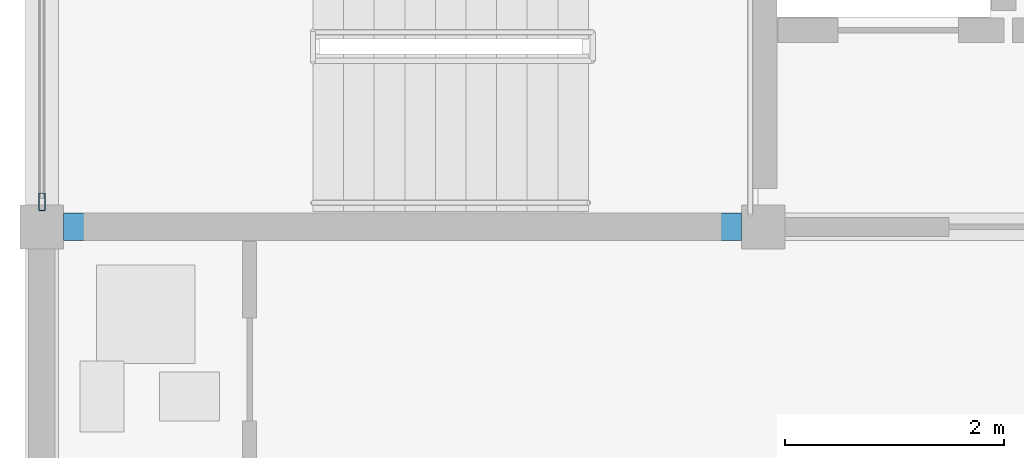
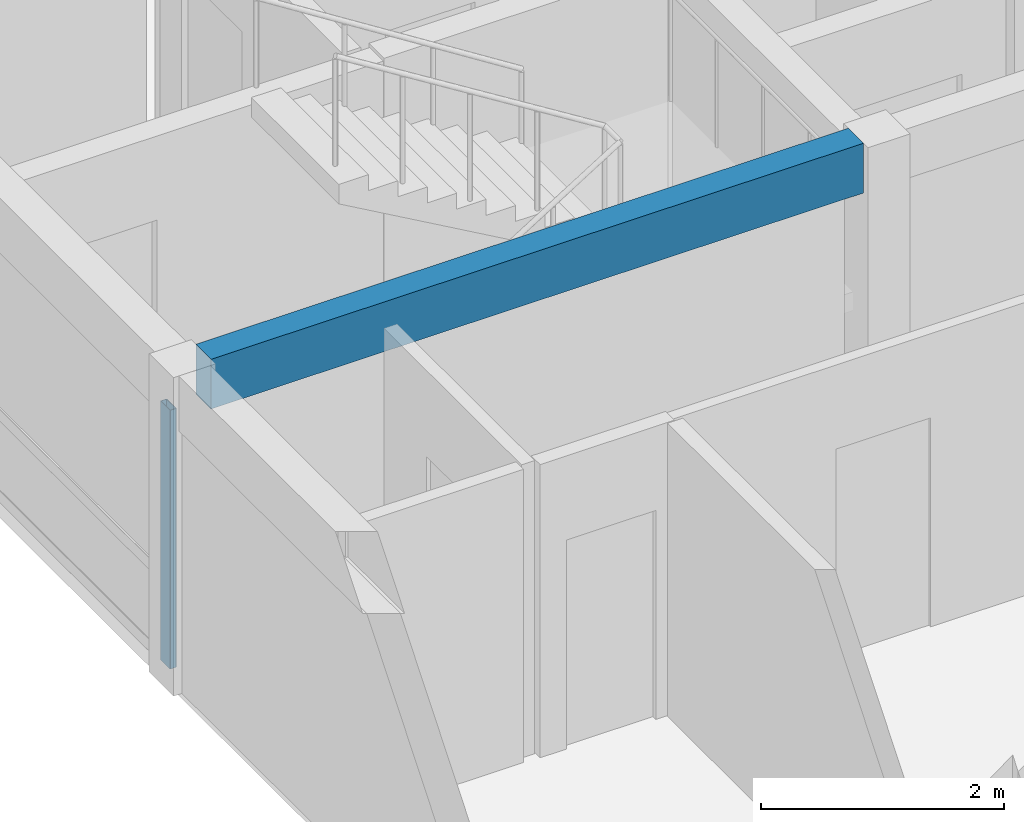
# One storey, part 2 of 12: 1 beam, 1 member, 1 element without a shape of its own.
"""IFC4 building model written with IfcOpenShell, lengths in metres."""

import ifcopenshell
import ifcopenshell.guid

model = None  # the IFC model being written
_history = None  # IfcOwnerHistory: only IFC2X3 demands one
_inside = {}  # id of a spatial element -> (the spatial element, [elements in it])
_under = {}  # id of a project, library or spatial element -> (it, [spatial elements below it])
_declared = {}  # id of a project -> (the project, [libraries it declares])
_typed = {}  # id of a type object -> (the type object, [elements of that type])
_made_of = {}  # id of a material, layer set ... -> (it, [elements and type objects made of it])


def new_model(schema):
    """Start an empty IFC model of exactly this schema.

    Asked for "IFC4X3", IfcOpenShell would pick the latest addendum, in which some entities
    have other attributes; the version numbers below select the first issue.
    IFC2X3 requires an IfcOwnerHistory on every rooted entity: one is made here for all.
    """
    global model, _history
    if schema == "IFC4X3":
        model = ifcopenshell.file(schema_version=(4, 3, 0, 0))
    else:
        model = ifcopenshell.file(schema=schema)
    _inside.clear()
    _under.clear()
    _declared.clear()
    _typed.clear()
    _made_of.clear()
    _history = None
    if model.schema == "IFC2X3":
        org = make("IfcOrganization", Name="unknown")
        user = make(
            "IfcPersonAndOrganization",
            ThePerson=make("IfcPerson", FamilyName="unknown"),
            TheOrganization=org,
        )
        app = make(
            "IfcApplication",
            ApplicationDeveloper=org,
            Version="unknown",
            ApplicationFullName="unknown",
            ApplicationIdentifier="unknown",
        )
        _history = make(
            "IfcOwnerHistory",
            OwningUser=user,
            OwningApplication=app,
            ChangeAction="ADDED",
            CreationDate=0,
        )
    return model


def make(cls, **values):
    """One entity of the class cls with the attributes given. An attribute that is None is left unset."""
    return model.create_entity(
        cls, **{name: value for name, value in values.items() if value is not None}
    )


def rooted(cls, **values):
    """An entity with a GlobalId (a new one), such as an element, a storey or a relation."""
    return make(cls, GlobalId=ifcopenshell.guid.new(), OwnerHistory=_history, **values)


def si_unit(unit_type, name, prefix=None):
    """IfcSIUnit, for example si_unit("LENGTHUNIT", "METRE", prefix="MILLI")."""
    return make("IfcSIUnit", UnitType=unit_type, Prefix=prefix, Name=name)


def assignment(units):
    """IfcUnitAssignment: the units of a project."""
    return None if units is None else make("IfcUnitAssignment", Units=units)


def point(xyz):
    """IfcCartesianPoint."""
    return None if xyz is None else make("IfcCartesianPoint", Coordinates=xyz)


def direction(xyz):
    """IfcDirection."""
    return None if xyz is None else make("IfcDirection", DirectionRatios=xyz)


def frame(location, z_axis=None, x_axis=None):
    """IfcAxis2Placement3D, a coordinate frame: its origin and axes. An axis left out is left unset."""
    return make(
        "IfcAxis2Placement3D",
        Location=point(location),
        Axis=direction(z_axis),
        RefDirection=direction(x_axis),
    )


def frame_2d(location, x_axis=None):
    """IfcAxis2Placement2D, a coordinate frame in the plane: its origin and x axis."""
    return make(
        "IfcAxis2Placement2D", Location=point(location), RefDirection=direction(x_axis)
    )


def origin():
    """The frame at (0, 0, 0) with its axes left unset."""
    return frame((0.0, 0.0, 0.0))


def origin_2d():
    """The frame at (0, 0) in the plane with its x axis left unset."""
    return frame_2d((0.0, 0.0))


def place(relative_to, where):
    """IfcLocalPlacement: puts the frame where relative to a parent placement (None: the world)."""
    return make(
        "IfcLocalPlacement", PlacementRelTo=relative_to, RelativePlacement=where
    )


def context(
    kind, dimensions, precision=None, world=None, true_north=None, identifier=None
):
    """IfcGeometricRepresentationContext, for example the 3D "Model" context."""
    return make(
        "IfcGeometricRepresentationContext",
        ContextIdentifier=identifier,
        ContextType=kind,
        CoordinateSpaceDimension=dimensions,
        Precision=precision,
        WorldCoordinateSystem=world,
        TrueNorth=true_north,
    )


def subcontext(parent, identifier, kind, view, scale=None):
    """IfcGeometricRepresentationSubContext, for example "Body" below "Model"."""
    return make(
        "IfcGeometricRepresentationSubContext",
        ContextIdentifier=identifier,
        ContextType=kind,
        ParentContext=parent,
        TargetScale=scale,
        TargetView=view,
    )


def project(units=None, contexts=None):
    """IfcProject with its units and contexts."""
    return rooted(
        "IfcProject",
        Name="project",
        RepresentationContexts=contexts,
        UnitsInContext=assignment(units),
    )


def spatial(cls, under=None, at=None, **own):
    """A site, building, storey or space (cls), placed at a placement, below another one or the project."""
    s = rooted(cls, ObjectPlacement=at, **own)
    if under is not None:
        _under.setdefault(under.id(), (under, []))[1].append(s)
    return s


def profile(cls, at=None, kind="AREA", **sizes):
    """A parametric profile (cls). Its sizes go by their IFC names, for example OverallWidth=200.0."""
    return make(cls, ProfileType=kind, Position=at, **sizes)


def rectangle(**sizes):
    """IfcRectangleProfileDef."""
    return profile("IfcRectangleProfileDef", **sizes)


def hollow_rectangle(**sizes):
    """IfcRectangleHollowProfileDef."""
    return profile("IfcRectangleHollowProfileDef", **sizes)


def extrude(swept, where, along, depth):
    """IfcExtrudedAreaSolid: the profile swept, set in the frame where, extruded along a direction by depth."""
    return make(
        "IfcExtrudedAreaSolid",
        SweptArea=swept,
        Position=where,
        ExtrudedDirection=direction(along),
        Depth=depth,
    )


def shape(context_of_items, identifier, shape_type, items):
    """IfcShapeRepresentation: the items that make up one representation, for example the "Body"."""
    return make(
        "IfcShapeRepresentation",
        ContextOfItems=context_of_items,
        RepresentationIdentifier=identifier,
        RepresentationType=shape_type,
        Items=items,
    )


def material(Name=None, Category=None):
    """IfcMaterial."""
    return make("IfcMaterial", Name=Name, Category=Category)


def material_profile(
    of_material, cross_section, Name=None, Category=None, Priority=None
):
    """IfcMaterialProfile: a cross section and its material."""
    return make(
        "IfcMaterialProfile",
        Name=Name,
        Material=of_material,
        Profile=cross_section,
        Priority=Priority,
        Category=Category,
    )


def profile_set(profiles, Name=None, composite=None):
    """IfcMaterialProfileSet."""
    return make(
        "IfcMaterialProfileSet",
        Name=Name,
        MaterialProfiles=profiles,
        CompositeProfile=composite,
    )


def made_of(thing, what):
    """Note that an element or type object is made of a material, layer set ...; save() writes the relation."""
    if what is not None:
        _made_of.setdefault(what.id(), (what, []))[1].append(thing)
    return thing


def type_object(cls, material=None, **own):
    """A type object (cls), such as IfcWallType, which elements share."""
    return made_of(rooted(cls, **own), material)


def element(
    cls,
    number,
    at=None,
    inside=None,
    cuts=None,
    type_object=None,
    material=None,
    context=None,
    identifier="Body",
    shape_type=None,
    held_by="IfcProductDefinitionShape",
    body=None,
    shapes=None,
    **own,
):
    """One element of the class cls, such as IfcWall. Its Tag is "e" and its number.

    at: its placement. inside: the storey or other place that contains it. cuts: it is an
    opening in that element (IfcRelVoidsElement). A single representation is given by context,
    identifier, shape_type and body (its items); several are given by shapes. held_by: the class
    of the entity that holds the representations. save() writes the other relations.
    """
    e = rooted(cls, Tag="e%d" % number, ObjectPlacement=at, **own)
    if body is not None:
        shapes = [shape(context, identifier, shape_type, body)]
    if shapes is not None:
        e.Representation = make(held_by, Representations=shapes)
    if inside is not None:
        _inside.setdefault(inside.id(), (inside, []))[1].append(e)
    if cuts is not None:
        rooted(
            "IfcRelVoidsElement", RelatingBuildingElement=cuts, RelatedOpeningElement=e
        )
    if type_object is not None:
        _typed.setdefault(type_object.id(), (type_object, []))[1].append(e)
    return made_of(e, material)


def aggregate(whole, parts):
    """IfcRelAggregates: a whole, such as a stair, and the parts it consists of."""
    return rooted("IfcRelAggregates", RelatingObject=whole, RelatedObjects=parts)


def save(model, path):
    """Write the relations noted so far, then the file.

    IfcRelAggregates (storeys below a building ...), IfcRelContainedInSpatialStructure (elements
    in a storey), IfcRelDefinesByType, IfcRelAssociatesMaterial and IfcRelDeclares: one each for
    every whole, place, type object, material and project.
    """
    for whole, parts in _under.values():
        aggregate(whole, parts)
    for where, things in _inside.values():
        rooted(
            "IfcRelContainedInSpatialStructure",
            RelatedElements=things,
            RelatingStructure=where,
        )
    for kind, things in _typed.values():
        rooted("IfcRelDefinesByType", RelatedObjects=things, RelatingType=kind)
    for what, things in _made_of.values():
        rooted("IfcRelAssociatesMaterial", RelatedObjects=things, RelatingMaterial=what)
    for by, libraries in _declared.values():
        rooted("IfcRelDeclares", RelatingContext=by, RelatedDefinitions=libraries)
    model.write(path)


model = new_model("IFC4")

# Units and contexts
model_context = context("Model", 3, precision=1e-05, world=origin(), true_north=direction((0.0, 1.0)))
body_context = subcontext(model_context, "Body", "Model", "MODEL_VIEW")
ifc_project = project(units=[si_unit("LENGTHUNIT", "METRE"), si_unit("AREAUNIT", "SQUARE_METRE"), si_unit("VOLUMEUNIT", "CUBIC_METRE"), si_unit("PLANEANGLEUNIT", "RADIAN"), si_unit("MASSUNIT", "GRAM", prefix="KILO")], contexts=[model_context])

# Site, building, storey
site_placement = place(None, origin())
site = spatial("IfcSite", under=ifc_project, at=site_placement, CompositionType="ELEMENT")
building_placement = place(site_placement, origin())
building = spatial("IfcBuilding", under=site, at=building_placement, Name="Kernevlak Ridge Housing Community", CompositionType="ELEMENT")
storey_placement = place(building_placement, frame((0.0, 0.0, 53.199951171875)))
storey = spatial("IfcBuildingStorey", under=building, at=storey_placement, Name="L16", CompositionType="ELEMENT", Elevation=53.199951171875)

# Beam
ifc_material_1 = material(Name="Concrete C35/45", Category="concrete")
ifc_material_profile_1 = material_profile(ifc_material_1, rectangle(XDim=0.25, YDim=0.5, at=origin_2d()), Name="RC 250x500")
ifc_profile_set_1 = profile_set([ifc_material_profile_1], Name="Concrete C35/45")
beam_type = type_object("IfcBeamType", Name="B-06", PredefinedType="T_BEAM", material=ifc_profile_set_1)
beam_placement = place(storey_placement, frame((15.800048828125, 82.60009765625, 2.949951171875), z_axis=(1.0, 0.0, 0.0), x_axis=(0.0, 1.0, 0.0)))
element("IfcBeam", 1, at=beam_placement, inside=storey, type_object=beam_type, Name="Beam B-06 L16 478", PredefinedType="T_BEAM", context=body_context, shape_type="SweptSolid", body=[
    extrude(rectangle(XDim=0.25, YDim=0.5, at=origin_2d()), origin(), (0.0, 0.0, 1.0), 6.199951171875),
])

# Curtain wall, member
ifc_material_2 = material(Name="Aluminium EN AW-6060 anodised and laminated glass", Category="aluminium")
curtain_wall_type = type_object("IfcCurtainWallType", Name="CW-01", PredefinedType="NOTDEFINED", material=ifc_material_2)
curtain_wall_placement = place(storey_placement, origin())
curtain_wall = element("IfcCurtainWall", 2, at=curtain_wall_placement, inside=storey, type_object=curtain_wall_type, Name="Curtain wall CW-01 CW-L16-049", PredefinedType="NOTDEFINED")
ifc_material_3 = material(Name="Aluminium EN AW-6060 anodised", Category="aluminium")
ifc_material_profile_2 = material_profile(ifc_material_3, hollow_rectangle(XDim=0.06005859375, YDim=0.159912109375, WallThickness=0.00390625, InnerFilletRadius=0.001953125, OuterFilletRadius=0.00390625, at=origin_2d()), Name="ALU 60x160x4")
ifc_profile_set_2 = profile_set([ifc_material_profile_2], Name="Aluminium EN AW-6060 anodised")
member_type = type_object("IfcMemberType", Name="MU-02", PredefinedType="MULLION", material=ifc_profile_set_2)
member_placement = place(storey_placement, frame((15.60009765625, 82.830078125, 0.0), z_axis=(0.0, 0.0, 1.0), x_axis=(-1.0, 0.0, 0.0)))
member = element("IfcMember", 3, at=member_placement, type_object=member_type, Name="CW-01 mullion 1", PredefinedType="MULLION", context=body_context, shape_type="SweptSolid", body=[
    extrude(hollow_rectangle(XDim=0.06005859375, YDim=0.159912109375, WallThickness=0.00390625, InnerFilletRadius=0.001953125, OuterFilletRadius=0.00390625, at=origin_2d()), origin(), (0.0, 0.0, 1.0), 2.60009765625),
])
aggregate(curtain_wall, [member])

save(model, "model.ifc")
